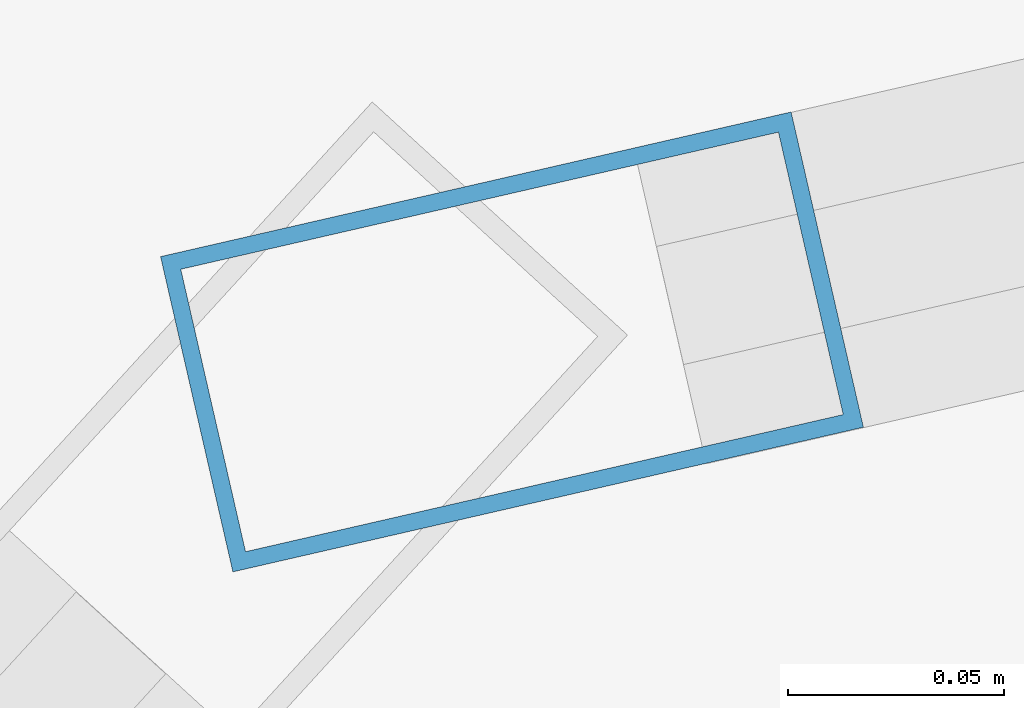
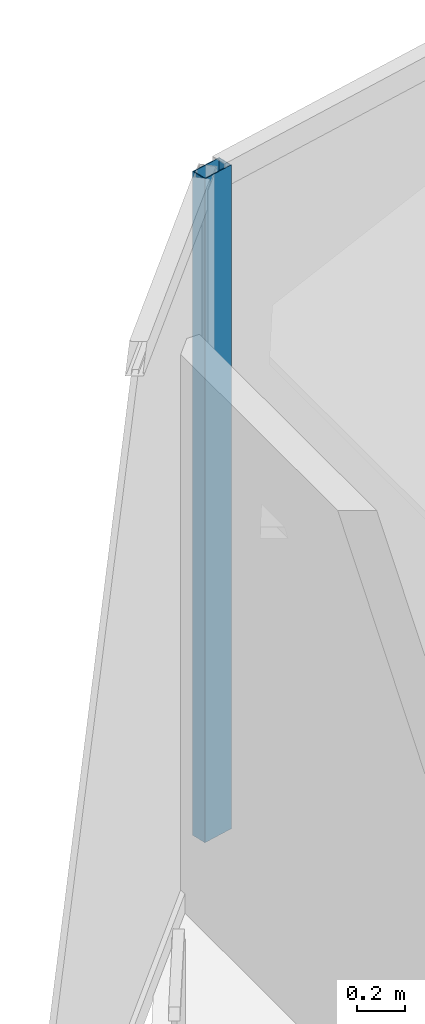
# One storey, part 19 of 34: 1 member, 1 element without a shape of its own.
"""IFC4 building model written with IfcOpenShell, lengths in metres."""

from ifc_helpers import new_model, si_unit, direction, frame, origin, origin_2d, place, context, subcontext, project, spatial, hollow_rectangle, extrude, material, layer, layer_set, material_profile, profile_set, type_object, element, aggregate, save


model = new_model("IFC4")

# Units and contexts
model_context = context("Model", 3, precision=1e-05, world=origin(), true_north=direction((0.0, 1.0)))
body_context = subcontext(model_context, "Body", "Model", "MODEL_VIEW")
ifc_project = project(units=[si_unit("LENGTHUNIT", "METRE"), si_unit("AREAUNIT", "SQUARE_METRE"), si_unit("VOLUMEUNIT", "CUBIC_METRE"), si_unit("PLANEANGLEUNIT", "RADIAN"), si_unit("MASSUNIT", "GRAM", prefix="KILO")], contexts=[model_context])

# Site, building, storey
site_placement = place(None, origin())
site = spatial("IfcSite", under=ifc_project, at=site_placement, CompositionType="ELEMENT")
building_placement = place(site_placement, origin())
building = spatial("IfcBuilding", under=site, at=building_placement, Name="Kazevale Care Tower and Concert Hall", CompositionType="ELEMENT")
storey_placement = place(building_placement, frame((0.0, 0.0, 174.60009765625)))
storey = spatial("IfcBuildingStorey", under=building, at=storey_placement, Name="L46", CompositionType="ELEMENT", Elevation=174.60009765625)

# Curtain wall, member
ifc_material_1 = material(Name="Aluminium 6063-T6 and Low-E Glass", Category="aluminium")
ifc_layer = layer(ifc_material_1, 0.179931640625)
ifc_layer_set = layer_set([ifc_layer], Name="Aluminium 6063-T6 and Low-E Glass")
curtain_wall_type = type_object("IfcCurtainWallType", Name="Convex Recessed Sunroom Curtain Wall CW-3", PredefinedType="NOTDEFINED", material=ifc_layer_set)
curtain_wall_placement = place(storey_placement, origin())
curtain_wall = element("IfcCurtainWall", 1, at=curtain_wall_placement, inside=storey, type_object=curtain_wall_type, Name="cw:L46:f15", PredefinedType="NOTDEFINED")
ifc_material_2 = material(Name="Aluminium 6063-T6", Category="aluminium")
ifc_material_profile = material_profile(ifc_material_2, hollow_rectangle(XDim=0.074951171875, YDim=0.14990234375, WallThickness=0.00390625, at=origin_2d()), Name="ALU75x150x4")
ifc_profile_set = profile_set([ifc_material_profile], Name="Aluminium 6063-T6")
member_type = type_object("IfcMemberType", Name="CW-3 Mullion ALU75x150x4", PredefinedType="MULLION", material=ifc_profile_set)
member_placement = place(storey_placement, frame((25.820556640625, 62.37841796875, 0.0), z_axis=(0.0, 0.0, 1.0), x_axis=(-0.223567329284, 0.974688488327, 0.0)))
member = element("IfcMember", 2, at=member_placement, type_object=member_type, Name="CW-3 mullion 1", PredefinedType="MULLION", context=body_context, shape_type="SweptSolid", body=[
    extrude(hollow_rectangle(XDim=0.074951171875, YDim=0.14990234375, WallThickness=0.00390625, at=origin_2d()), origin(), (0.0, 0.0, 1.0), 3.35986328125),
])
aggregate(curtain_wall, [member])

save(model, "model.ifc")
